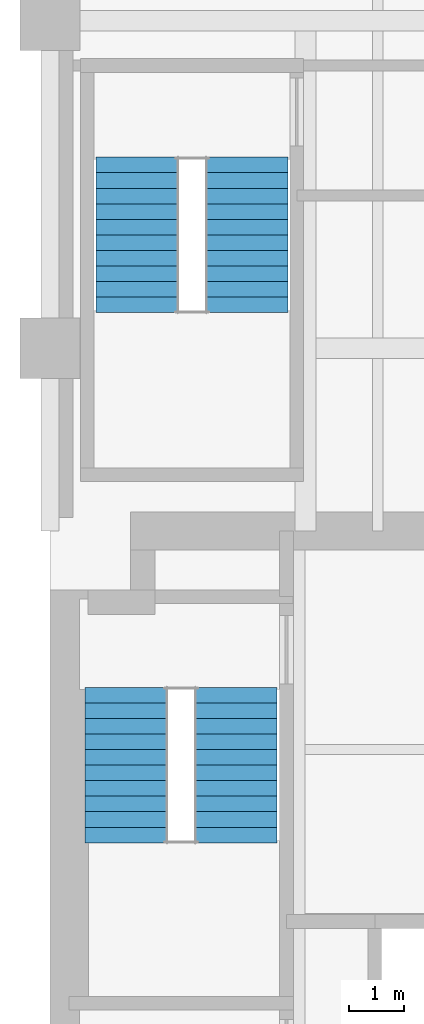
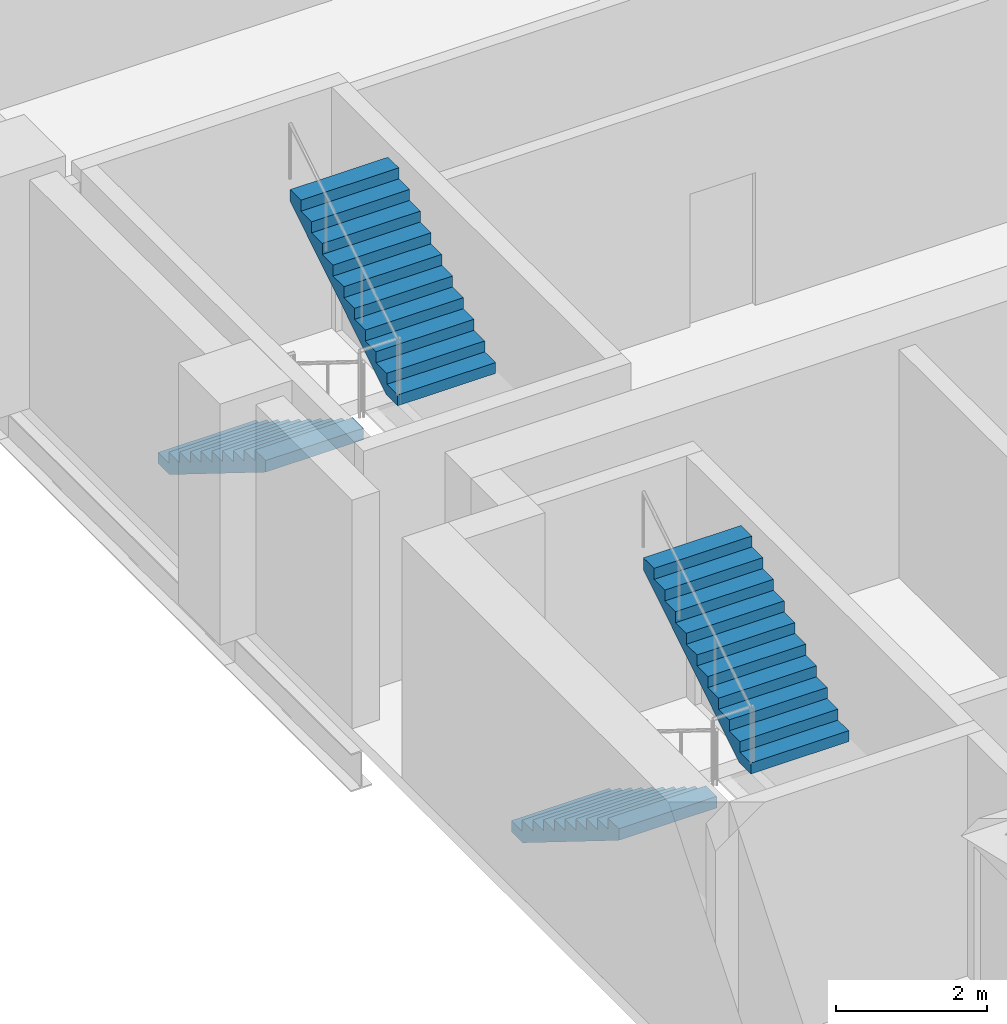
# One storey, part 6 of 7: 4 stair flights, 2 elements without a shape of their own.
"""IFC4 building model written with IfcOpenShell, lengths in metres."""

from ifc_helpers import new_model, si_unit, direction, frame, origin, place, context, subcontext, project, spatial, polyline, outline, extrude, material, type_object, element, aggregate, save


model = new_model("IFC4")

# Units and contexts
model_context = context("Model", 3, precision=1e-05, world=origin(), true_north=direction((0.0, 1.0)))
body_context = subcontext(model_context, "Body", "Model", "MODEL_VIEW")
ifc_project = project(units=[si_unit("LENGTHUNIT", "METRE"), si_unit("AREAUNIT", "SQUARE_METRE"), si_unit("VOLUMEUNIT", "CUBIC_METRE"), si_unit("PLANEANGLEUNIT", "RADIAN"), si_unit("MASSUNIT", "GRAM", prefix="KILO")], contexts=[model_context])

# Site, building, storey
site_placement = place(None, origin())
site = spatial("IfcSite", under=ifc_project, at=site_placement, CompositionType="ELEMENT")
building_placement = place(site_placement, origin())
building = spatial("IfcBuilding", under=site, at=building_placement, Name="Mawjdan Bourse Tower", CompositionType="ELEMENT")
storey_placement = place(building_placement, frame((0.0, 0.0, 116.699951171875)))
storey = spatial("IfcBuildingStorey", under=building, at=storey_placement, Name="L27", CompositionType="ELEMENT", Elevation=116.699951171875)

# Stair, stair flights
ifc_material = material(Name="Concrete C50/60", Category="concrete")
stair_type = type_object("IfcStairType", Name="STR-CORE-1500", PredefinedType="HALF_TURN_STAIR", material=ifc_material)
stair_1_placement = place(storey_placement, origin())
stair_1 = element("IfcStair", 1, at=stair_1_placement, inside=storey, type_object=stair_type, Name="L27 Exit Stair 2 (Core North-West)", PredefinedType="HALF_TURN_STAIR")
stair_flight_type = type_object("IfcStairFlightType", Name="SFL-RC-1500", PredefinedType="STRAIGHT", material=ifc_material)
stair_flight_1_placement = place(storey_placement, frame((7.389892578125, 17.7900390625, 0.0), z_axis=(0.0, 0.0, 1.0), x_axis=(0.0, -1.0, 0.0)))
stair_flight_1 = element("IfcStairFlight", 2, at=stair_flight_1_placement, type_object=stair_flight_type, Name="ST2-L27 flight 1", NumberOfRisers=11, NumberOfTreads=10, PredefinedType="STRAIGHT", RiserHeight=0.177273, TreadLength=0.285, context=body_context, shape_type="SweptSolid", body=[
    extrude(outline(polyline([(0.0, 0.0), (0.0, 0.17724609375), (0.284912109375, 0.17724609375), (0.284912109375, 0.3544921875), (0.570068359375, 0.3544921875), (0.570068359375, 0.53173828125), (0.85498046875, 0.53173828125), (0.85498046875, 0.708984375), (1.139892578125, 0.708984375), (1.139892578125, 0.886474609375), (1.425048828125, 0.886474609375), (1.425048828125, 1.063720703125), (1.7099609375, 1.063720703125), (1.7099609375, 1.240966796875), (1.9951171875, 1.240966796875), (1.9951171875, 1.418212890625), (2.280029296875, 1.418212890625), (2.280029296875, 1.595458984375), (2.56494140625, 1.595458984375), (2.56494140625, 1.772705078125), (2.85009765625, 1.772705078125), (2.85009765625, 1.949951171875), (2.85009765625, 1.58447265625), (0.302734375, 0.0), (0.0, 0.0)])), frame((0.0, 0.75, 0.0), z_axis=(0.0, -1.0, 0.0), x_axis=(1.0, 0.0, 0.0)), (0.0, 0.0, 1.0), 1.5),
])
stair_flight_2_placement = place(storey_placement, frame((9.409912109375, 14.93994140625, 1.949951171875), z_axis=(0.0, 0.0, 1.0), x_axis=(0.0, 1.0, 0.0)))
stair_flight_2 = element("IfcStairFlight", 3, at=stair_flight_2_placement, type_object=stair_flight_type, Name="ST2-L27 flight 2", NumberOfRisers=11, NumberOfTreads=10, PredefinedType="STRAIGHT", RiserHeight=0.177273, TreadLength=0.285, context=body_context, shape_type="SweptSolid", body=[
    extrude(outline(polyline([(0.0, 0.0), (0.0, 0.17724609375), (0.284912109375, 0.17724609375), (0.284912109375, 0.3544921875), (0.570068359375, 0.3544921875), (0.570068359375, 0.53173828125), (0.85498046875, 0.53173828125), (0.85498046875, 0.708984375), (1.139892578125, 0.708984375), (1.139892578125, 0.886474609375), (1.425048828125, 0.886474609375), (1.425048828125, 1.063720703125), (1.7099609375, 1.063720703125), (1.7099609375, 1.240966796875), (1.9951171875, 1.240966796875), (1.9951171875, 1.418212890625), (2.280029296875, 1.418212890625), (2.280029296875, 1.595458984375), (2.56494140625, 1.595458984375), (2.56494140625, 1.772705078125), (2.85009765625, 1.772705078125), (2.85009765625, 1.949951171875), (2.85009765625, 1.58447265625), (0.302734375, 0.0), (0.0, 0.0)])), frame((0.0, 0.75, 0.0), z_axis=(0.0, -1.0, 0.0), x_axis=(1.0, 0.0, 0.0)), (0.0, 0.0, 1.0), 1.5),
])
aggregate(stair_1, [stair_flight_1, stair_flight_2])

stair_2_placement = place(storey_placement, origin())
stair_2 = element("IfcStair", 4, at=stair_2_placement, inside=storey, type_object=stair_type, Name="L27 Exit Stair 3 (North Wing)", PredefinedType="HALF_TURN_STAIR")
stair_flight_3_placement = place(storey_placement, frame((7.590087890625, 27.5, 0.0), z_axis=(0.0, 0.0, 1.0), x_axis=(0.0, -1.0, 0.0)))
stair_flight_3 = element("IfcStairFlight", 5, at=stair_flight_3_placement, type_object=stair_flight_type, Name="ST3-L27 flight 1", NumberOfRisers=11, NumberOfTreads=10, PredefinedType="STRAIGHT", RiserHeight=0.177273, TreadLength=0.285, context=body_context, shape_type="SweptSolid", body=[
    extrude(outline(polyline([(0.0, 0.0), (0.0, 0.17724609375), (0.284912109375, 0.17724609375), (0.284912109375, 0.3544921875), (0.570068359375, 0.3544921875), (0.570068359375, 0.53173828125), (0.85498046875, 0.53173828125), (0.85498046875, 0.708984375), (1.139892578125, 0.708984375), (1.139892578125, 0.886474609375), (1.425048828125, 0.886474609375), (1.425048828125, 1.063720703125), (1.7099609375, 1.063720703125), (1.7099609375, 1.240966796875), (1.9951171875, 1.240966796875), (1.9951171875, 1.418212890625), (2.280029296875, 1.418212890625), (2.280029296875, 1.595458984375), (2.56494140625, 1.595458984375), (2.56494140625, 1.772705078125), (2.85009765625, 1.772705078125), (2.85009765625, 1.949951171875), (2.85009765625, 1.58447265625), (0.302734375, 0.0), (0.0, 0.0)])), frame((0.0, 0.75, 0.0), z_axis=(0.0, -1.0, 0.0), x_axis=(1.0, 0.0, 0.0)), (0.0, 0.0, 1.0), 1.5),
])
stair_flight_4_placement = place(storey_placement, frame((9.610107421875, 24.64990234375, 1.949951171875), z_axis=(0.0, 0.0, 1.0), x_axis=(0.0, 1.0, 0.0)))
stair_flight_4 = element("IfcStairFlight", 6, at=stair_flight_4_placement, type_object=stair_flight_type, Name="ST3-L27 flight 2", NumberOfRisers=11, NumberOfTreads=10, PredefinedType="STRAIGHT", RiserHeight=0.177273, TreadLength=0.285, context=body_context, shape_type="SweptSolid", body=[
    extrude(outline(polyline([(0.0, 0.0), (0.0, 0.17724609375), (0.284912109375, 0.17724609375), (0.284912109375, 0.3544921875), (0.570068359375, 0.3544921875), (0.570068359375, 0.53173828125), (0.85498046875, 0.53173828125), (0.85498046875, 0.708984375), (1.139892578125, 0.708984375), (1.139892578125, 0.886474609375), (1.425048828125, 0.886474609375), (1.425048828125, 1.063720703125), (1.7099609375, 1.063720703125), (1.7099609375, 1.240966796875), (1.9951171875, 1.240966796875), (1.9951171875, 1.418212890625), (2.280029296875, 1.418212890625), (2.280029296875, 1.595458984375), (2.56494140625, 1.595458984375), (2.56494140625, 1.772705078125), (2.85009765625, 1.772705078125), (2.85009765625, 1.949951171875), (2.85009765625, 1.58447265625), (0.302734375, 0.0), (0.0, 0.0)])), frame((0.0, 0.75, 0.0), z_axis=(0.0, -1.0, 0.0), x_axis=(1.0, 0.0, 0.0)), (0.0, 0.0, 1.0), 1.5),
])
aggregate(stair_2, [stair_flight_3, stair_flight_4])

save(model, "model.ifc")
